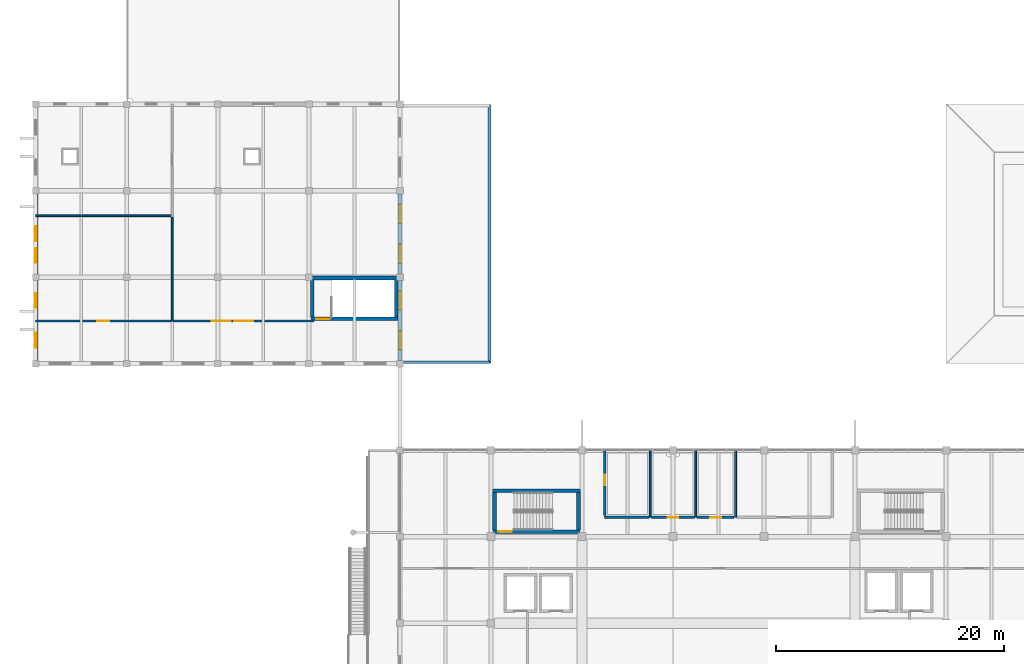
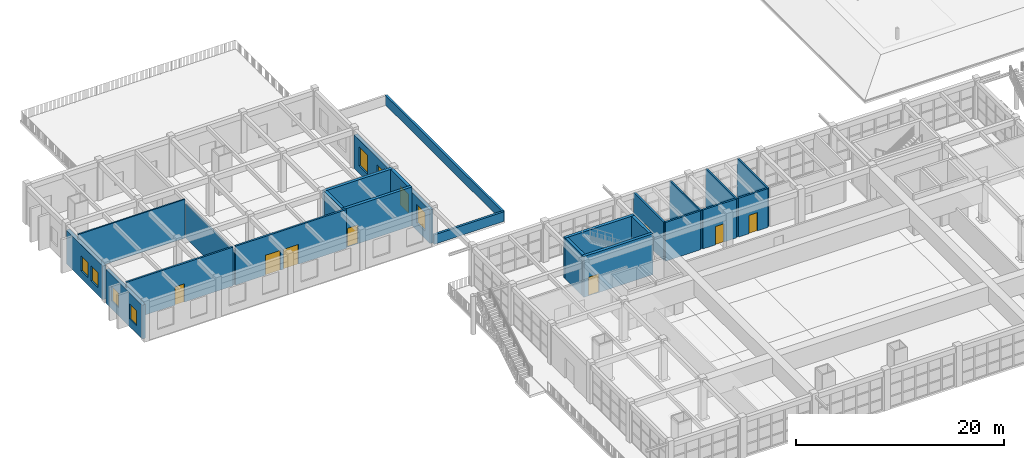
# One storey, part 37 of 50: 25 walls, 8 doors, 8 windows, 16 openings.
"""IFC4 building model written with IfcOpenShell, lengths in metres."""

import ifcopenshell
import ifcopenshell.guid

model = None  # the IFC model being written
_history = None  # IfcOwnerHistory: only IFC2X3 demands one
_inside = {}  # id of a spatial element -> (the spatial element, [elements in it])
_under = {}  # id of a project, library or spatial element -> (it, [spatial elements below it])
_declared = {}  # id of a project -> (the project, [libraries it declares])
_typed = {}  # id of a type object -> (the type object, [elements of that type])
_made_of = {}  # id of a material, layer set ... -> (it, [elements and type objects made of it])


def new_model(schema):
    """Start an empty IFC model of exactly this schema.

    Asked for "IFC4X3", IfcOpenShell would pick the latest addendum, in which some entities
    have other attributes; the version numbers below select the first issue.
    IFC2X3 requires an IfcOwnerHistory on every rooted entity: one is made here for all.
    """
    global model, _history
    if schema == "IFC4X3":
        model = ifcopenshell.file(schema_version=(4, 3, 0, 0))
    else:
        model = ifcopenshell.file(schema=schema)
    _inside.clear()
    _under.clear()
    _declared.clear()
    _typed.clear()
    _made_of.clear()
    _history = None
    if model.schema == "IFC2X3":
        org = make("IfcOrganization", Name="unknown")
        user = make(
            "IfcPersonAndOrganization",
            ThePerson=make("IfcPerson", FamilyName="unknown"),
            TheOrganization=org,
        )
        app = make(
            "IfcApplication",
            ApplicationDeveloper=org,
            Version="unknown",
            ApplicationFullName="unknown",
            ApplicationIdentifier="unknown",
        )
        _history = make(
            "IfcOwnerHistory",
            OwningUser=user,
            OwningApplication=app,
            ChangeAction="ADDED",
            CreationDate=0,
        )
    return model


def make(cls, **values):
    """One entity of the class cls with the attributes given. An attribute that is None is left unset."""
    return model.create_entity(
        cls, **{name: value for name, value in values.items() if value is not None}
    )


def rooted(cls, **values):
    """An entity with a GlobalId (a new one), such as an element, a storey or a relation."""
    return make(cls, GlobalId=ifcopenshell.guid.new(), OwnerHistory=_history, **values)


def si_unit(unit_type, name, prefix=None):
    """IfcSIUnit, for example si_unit("LENGTHUNIT", "METRE", prefix="MILLI")."""
    return make("IfcSIUnit", UnitType=unit_type, Prefix=prefix, Name=name)


def assignment(units):
    """IfcUnitAssignment: the units of a project."""
    return None if units is None else make("IfcUnitAssignment", Units=units)


def point(xyz):
    """IfcCartesianPoint."""
    return None if xyz is None else make("IfcCartesianPoint", Coordinates=xyz)


def direction(xyz):
    """IfcDirection."""
    return None if xyz is None else make("IfcDirection", DirectionRatios=xyz)


def frame(location, z_axis=None, x_axis=None):
    """IfcAxis2Placement3D, a coordinate frame: its origin and axes. An axis left out is left unset."""
    return make(
        "IfcAxis2Placement3D",
        Location=point(location),
        Axis=direction(z_axis),
        RefDirection=direction(x_axis),
    )


def frame_2d(location, x_axis=None):
    """IfcAxis2Placement2D, a coordinate frame in the plane: its origin and x axis."""
    return make(
        "IfcAxis2Placement2D", Location=point(location), RefDirection=direction(x_axis)
    )


def origin():
    """The frame at (0, 0, 0) with its axes left unset."""
    return frame((0.0, 0.0, 0.0))


def place(relative_to, where):
    """IfcLocalPlacement: puts the frame where relative to a parent placement (None: the world)."""
    return make(
        "IfcLocalPlacement", PlacementRelTo=relative_to, RelativePlacement=where
    )


def context(
    kind, dimensions, precision=None, world=None, true_north=None, identifier=None
):
    """IfcGeometricRepresentationContext, for example the 3D "Model" context."""
    return make(
        "IfcGeometricRepresentationContext",
        ContextIdentifier=identifier,
        ContextType=kind,
        CoordinateSpaceDimension=dimensions,
        Precision=precision,
        WorldCoordinateSystem=world,
        TrueNorth=true_north,
    )


def subcontext(parent, identifier, kind, view, scale=None):
    """IfcGeometricRepresentationSubContext, for example "Body" below "Model"."""
    return make(
        "IfcGeometricRepresentationSubContext",
        ContextIdentifier=identifier,
        ContextType=kind,
        ParentContext=parent,
        TargetScale=scale,
        TargetView=view,
    )


def project(units=None, contexts=None):
    """IfcProject with its units and contexts."""
    return rooted(
        "IfcProject",
        Name="project",
        RepresentationContexts=contexts,
        UnitsInContext=assignment(units),
    )


def spatial(cls, under=None, at=None, **own):
    """A site, building, storey or space (cls), placed at a placement, below another one or the project."""
    s = rooted(cls, ObjectPlacement=at, **own)
    if under is not None:
        _under.setdefault(under.id(), (under, []))[1].append(s)
    return s


def profile(cls, at=None, kind="AREA", **sizes):
    """A parametric profile (cls). Its sizes go by their IFC names, for example OverallWidth=200.0."""
    return make(cls, ProfileType=kind, Position=at, **sizes)


def rectangle(**sizes):
    """IfcRectangleProfileDef."""
    return profile("IfcRectangleProfileDef", **sizes)


def extrude(swept, where, along, depth):
    """IfcExtrudedAreaSolid: the profile swept, set in the frame where, extruded along a direction by depth."""
    return make(
        "IfcExtrudedAreaSolid",
        SweptArea=swept,
        Position=where,
        ExtrudedDirection=direction(along),
        Depth=depth,
    )


def shape(context_of_items, identifier, shape_type, items):
    """IfcShapeRepresentation: the items that make up one representation, for example the "Body"."""
    return make(
        "IfcShapeRepresentation",
        ContextOfItems=context_of_items,
        RepresentationIdentifier=identifier,
        RepresentationType=shape_type,
        Items=items,
    )


def material(Name=None, Category=None):
    """IfcMaterial."""
    return make("IfcMaterial", Name=Name, Category=Category)


def layer(
    of_material, thickness, ventilated=None, Name=None, Category=None, Priority=None
):
    """IfcMaterialLayer: one layer of a wall or slab, of a material (None: an air gap)."""
    return make(
        "IfcMaterialLayer",
        Material=of_material,
        LayerThickness=thickness,
        IsVentilated=ventilated,
        Name=Name,
        Category=Category,
        Priority=Priority,
    )


def layer_set(layers, Name=None):
    """IfcMaterialLayerSet."""
    return make("IfcMaterialLayerSet", MaterialLayers=layers, LayerSetName=Name)


def made_of(thing, what):
    """Note that an element or type object is made of a material, layer set ...; save() writes the relation."""
    if what is not None:
        _made_of.setdefault(what.id(), (what, []))[1].append(thing)
    return thing


def type_object(cls, material=None, **own):
    """A type object (cls), such as IfcWallType, which elements share."""
    return made_of(rooted(cls, **own), material)


def element(
    cls,
    number,
    at=None,
    inside=None,
    cuts=None,
    type_object=None,
    material=None,
    context=None,
    identifier="Body",
    shape_type=None,
    held_by="IfcProductDefinitionShape",
    body=None,
    shapes=None,
    **own,
):
    """One element of the class cls, such as IfcWall. Its Tag is "e" and its number.

    at: its placement. inside: the storey or other place that contains it. cuts: it is an
    opening in that element (IfcRelVoidsElement). A single representation is given by context,
    identifier, shape_type and body (its items); several are given by shapes. held_by: the class
    of the entity that holds the representations. save() writes the other relations.
    """
    e = rooted(cls, Tag="e%d" % number, ObjectPlacement=at, **own)
    if body is not None:
        shapes = [shape(context, identifier, shape_type, body)]
    if shapes is not None:
        e.Representation = make(held_by, Representations=shapes)
    if inside is not None:
        _inside.setdefault(inside.id(), (inside, []))[1].append(e)
    if cuts is not None:
        rooted(
            "IfcRelVoidsElement", RelatingBuildingElement=cuts, RelatedOpeningElement=e
        )
    if type_object is not None:
        _typed.setdefault(type_object.id(), (type_object, []))[1].append(e)
    return made_of(e, material)


def fill(opening, filler):
    """IfcRelFillsElement: the door or window that sits in an opening."""
    return rooted(
        "IfcRelFillsElement",
        RelatingOpeningElement=opening,
        RelatedBuildingElement=filler,
    )


def aggregate(whole, parts):
    """IfcRelAggregates: a whole, such as a stair, and the parts it consists of."""
    return rooted("IfcRelAggregates", RelatingObject=whole, RelatedObjects=parts)


def save(model, path):
    """Write the relations noted so far, then the file.

    IfcRelAggregates (storeys below a building ...), IfcRelContainedInSpatialStructure (elements
    in a storey), IfcRelDefinesByType, IfcRelAssociatesMaterial and IfcRelDeclares: one each for
    every whole, place, type object, material and project.
    """
    for whole, parts in _under.values():
        aggregate(whole, parts)
    for where, things in _inside.values():
        rooted(
            "IfcRelContainedInSpatialStructure",
            RelatedElements=things,
            RelatingStructure=where,
        )
    for kind, things in _typed.values():
        rooted("IfcRelDefinesByType", RelatedObjects=things, RelatingType=kind)
    for what, things in _made_of.values():
        rooted("IfcRelAssociatesMaterial", RelatedObjects=things, RelatingMaterial=what)
    for by, libraries in _declared.values():
        rooted("IfcRelDeclares", RelatingContext=by, RelatedDefinitions=libraries)
    model.write(path)


model = new_model("IFC4")

# Units and contexts
model_context = context("Model", 3, precision=1e-05, world=origin(), true_north=direction((0.0, 1.0)))
body_context = subcontext(model_context, "Body", "Model", "MODEL_VIEW")
ifc_project = project(units=[si_unit("LENGTHUNIT", "METRE"), si_unit("AREAUNIT", "SQUARE_METRE"), si_unit("VOLUMEUNIT", "CUBIC_METRE"), si_unit("PLANEANGLEUNIT", "RADIAN"), si_unit("MASSUNIT", "GRAM", prefix="KILO")], contexts=[model_context])

# Site, building, storey
site_placement = place(None, origin())
site = spatial("IfcSite", under=ifc_project, at=site_placement, CompositionType="ELEMENT")
building_placement = place(site_placement, origin())
building = spatial("IfcBuilding", under=site, at=building_placement, Name="Zantavel Square City Hall", CompositionType="ELEMENT")
storey_placement = place(building_placement, frame((0.0, 0.0, 18.89990234375)))
storey = spatial("IfcBuildingStorey", under=building, at=storey_placement, Name="L05", CompositionType="ELEMENT", Elevation=18.89990234375)

# Walls
ifc_material_1 = material(Name="Cantera volcanic tuff stone", Category="masonry")
ifc_layer_1 = layer(ifc_material_1, 0.239990234375, Name="Cantera volcanic tuff stone")
ifc_layer_set_1 = layer_set([ifc_layer_1], Name="Cantera volcanic tuff stone")
wall_type_1 = type_object("IfcWallType", Name="Cantera Wing Roof Parapet 240mm", PredefinedType="PARAPET", material=ifc_layer_set_1)
wall_1_placement = place(storey_placement, frame((63.8798828125, 76.1201171875, 0.0), z_axis=(0.0, 0.0, 1.0), x_axis=(0.0, 1.0, 0.0)))
element("IfcWall", 1, at=wall_1_placement, inside=storey, type_object=wall_type_1, Name="L05 Roof Parapet Wall 14", PredefinedType="PARAPET", context=body_context, shape_type="SweptSolid", body=[
    extrude(rectangle(XDim=22.559814453125, YDim=0.239990234375, at=frame_2d((11.27978515625, 0.0))), origin(), (0.0, 0.0, 1.0), 1.1201171875),
])
wall_2_placement = place(storey_placement, frame((56.1201171875, 76.1201171875, 0.0), z_axis=(0.0, 0.0, 1.0), x_axis=(1.0, 0.0, 0.0)))
element("IfcWall", 2, at=wall_2_placement, inside=storey, type_object=wall_type_1, Name="L05 Roof Parapet Wall 16", PredefinedType="PARAPET", context=body_context, shape_type="SweptSolid", body=[
    extrude(rectangle(XDim=7.759765625, YDim=0.239990234375, at=frame_2d((3.8798828125, 0.0))), origin(), (0.0, 0.0, 1.0), 1.1201171875),
])

# Wall, opening, door
ifc_material_2 = material(Name="Concrete C40/50", Category="concrete")
ifc_layer_2 = layer(ifc_material_2, 0.320068359375, Name="Concrete C40/50")
ifc_layer_set_2 = layer_set([ifc_layer_2], Name="Concrete C40/50")
wall_type_2 = type_object("IfcWallType", Name="Core Shear Wall RC 320mm C40/50", PredefinedType="SHEAR", material=ifc_layer_set_2)
wall_3_placement = place(storey_placement, frame((55.85009765625, 79.93994140625, 0.0), z_axis=(0.0, 0.0, 1.0), x_axis=(-1.0, 0.0, 0.0)))
wall_3 = element("IfcWall", 3, at=wall_3_placement, inside=storey, type_object=wall_type_2, Name="L05 Exit Stair 1 North-West Core Shear Wall South", PredefinedType="SHEAR", context=body_context, shape_type="SweptSolid", body=[
    extrude(rectangle(XDim=7.7001953125, YDim=0.320068359375, at=frame_2d((3.85009765625, 0.0))), origin(), (0.0, 0.0, 1.0), 4.570068359375),
])
opening_1_placement = place(wall_3_placement, frame((6.0, 0.0, 0.0)))
opening_1 = element("IfcOpeningElement", 4, at=opening_1_placement, cuts=wall_3, Name="Opening SD-006", PredefinedType="OPENING", context=body_context, shape_type="SweptSolid", body=[
    extrude(rectangle(XDim=1.199951171875, YDim=2.199951171875, at=frame_2d((0.60009765625, 1.10009765625))), frame((0.0, 0.169921875, 0.0), z_axis=(0.0, -1.0, 0.0), x_axis=(1.0, 0.0, 0.0)), (0.0, 0.0, 1.0), 0.340087890625),
])
ifc_material_3 = material(Name="Steel ASTM A500 Grade B", Category="steel")
door_type_1 = type_object("IfcDoorType", Name="Enclosed Exit Stairwell Fire Door 1200x2200 FD90S", OperationType="NOTDEFINED", PredefinedType="DOOR", material=ifc_material_3)
door_1_placement = place(opening_1_placement, origin())
door_1 = element("IfcDoor", 5, at=door_1_placement, inside=storey, type_object=door_type_1, Name="L05 Exit Stair 1 North-West Core Fire Door", OperationType="SINGLE_SWING_RIGHT", OverallHeight=2.199951171875, OverallWidth=1.199951171875, PredefinedType="DOOR", context=body_context, shape_type="SweptSolid", body=[
    extrude(rectangle(XDim=1.199951171875, YDim=2.199951171875, at=frame_2d((0.60009765625, 1.10009765625))), frame((0.0, 0.02490234375, 0.0), z_axis=(0.0, -1.0, 0.0), x_axis=(1.0, 0.0, 0.0)), (0.0, 0.0, 1.0), 0.050048828125),
])
fill(opening_1, door_1)

# Walls
wall_4_placement = place(storey_placement, frame((48.31005859375, 80.10009765625, 0.0), z_axis=(0.0, 0.0, 1.0), x_axis=(0.0, 1.0, 0.0)))
element("IfcWall", 6, at=wall_4_placement, inside=storey, type_object=wall_type_2, Name="L05 Exit Stair 1 North-West Core Shear Wall West", PredefinedType="SHEAR", context=body_context, shape_type="SweptSolid", body=[
    extrude(rectangle(XDim=3.27001953125, YDim=0.320068359375, at=frame_2d((1.635009765625, 0.0))), origin(), (0.0, 0.0, 1.0), 4.570068359375),
])
wall_5_placement = place(storey_placement, frame((48.14990234375, 83.530029296875, 0.0), z_axis=(0.0, 0.0, 1.0), x_axis=(1.0, 0.0, 0.0)))
element("IfcWall", 7, at=wall_5_placement, inside=storey, type_object=wall_type_2, Name="L05 Exit Stair 1 North-West Core Shear Wall North", PredefinedType="SHEAR", context=body_context, shape_type="SweptSolid", body=[
    extrude(rectangle(XDim=7.7001953125, YDim=0.320068359375, at=frame_2d((3.85009765625, 0.0))), origin(), (0.0, 0.0, 1.0), 4.570068359375),
])
wall_6_placement = place(storey_placement, frame((55.68994140625, 83.3701171875, 0.0), z_axis=(0.0, 0.0, 1.0), x_axis=(0.0, -1.0, 0.0)))
element("IfcWall", 8, at=wall_6_placement, inside=storey, type_object=wall_type_2, Name="L05 Exit Stair 1 North-West Core Shear Wall East", PredefinedType="SHEAR", context=body_context, shape_type="SweptSolid", body=[
    extrude(rectangle(XDim=3.27001953125, YDim=0.320068359375, at=frame_2d((1.635009765625, 0.0))), origin(), (0.0, 0.0, 1.0), 4.570068359375),
])

# Wall, opening, door
wall_7_placement = place(storey_placement, frame((71.85009765625, 61.239990234375, 0.0), z_axis=(0.0, 0.0, 1.0), x_axis=(-1.0, 0.0, 0.0)))
wall_7 = element("IfcWall", 9, at=wall_7_placement, inside=storey, type_object=wall_type_2, Name="L05 Exit Stair 5 Central West Core Shear Wall South", PredefinedType="SHEAR", context=body_context, shape_type="SweptSolid", body=[
    extrude(rectangle(XDim=7.7001953125, YDim=0.320068359375, at=frame_2d((3.85009765625, 0.0))), origin(), (0.0, 0.0, 1.0), 4.800048828125),
])
opening_2_placement = place(wall_7_placement, frame((6.0, 0.0, 0.0)))
opening_2 = element("IfcOpeningElement", 10, at=opening_2_placement, cuts=wall_7, Name="Opening SD-024", PredefinedType="OPENING", context=body_context, shape_type="SweptSolid", body=[
    extrude(rectangle(XDim=1.199951171875, YDim=2.199951171875, at=frame_2d((0.60009765625, 1.10009765625))), frame((0.0, 0.169921875, 0.0), z_axis=(0.0, -1.0, 0.0), x_axis=(1.0, 0.0, 0.0)), (0.0, 0.0, 1.0), 0.340087890625),
])
door_2_placement = place(opening_2_placement, origin())
door_2 = element("IfcDoor", 11, at=door_2_placement, inside=storey, type_object=door_type_1, Name="L05 Exit Stair 5 Central West Core Fire Door", OperationType="SINGLE_SWING_RIGHT", OverallHeight=2.199951171875, OverallWidth=1.199951171875, PredefinedType="DOOR", context=body_context, shape_type="SweptSolid", body=[
    extrude(rectangle(XDim=1.199951171875, YDim=2.199951171875, at=frame_2d((0.60009765625, 1.10009765625))), frame((0.0, 0.02490234375, 0.0), z_axis=(0.0, -1.0, 0.0), x_axis=(1.0, 0.0, 0.0)), (0.0, 0.0, 1.0), 0.050048828125),
])
fill(opening_2, door_2)

# Walls
wall_8_placement = place(storey_placement, frame((64.31005859375, 61.39990234375, 0.0), z_axis=(0.0, 0.0, 1.0), x_axis=(0.0, 1.0, 0.0)))
element("IfcWall", 12, at=wall_8_placement, inside=storey, type_object=wall_type_2, Name="L05 Exit Stair 5 Central West Core Shear Wall West", PredefinedType="SHEAR", context=body_context, shape_type="SweptSolid", body=[
    extrude(rectangle(XDim=3.27001953125, YDim=0.320068359375, at=frame_2d((1.635009765625, 0.0))), origin(), (0.0, 0.0, 1.0), 4.800048828125),
])
wall_9_placement = place(storey_placement, frame((64.14990234375, 64.830078125, 0.0), z_axis=(0.0, 0.0, 1.0), x_axis=(1.0, 0.0, 0.0)))
element("IfcWall", 13, at=wall_9_placement, inside=storey, type_object=wall_type_2, Name="L05 Exit Stair 5 Central West Core Shear Wall North", PredefinedType="SHEAR", context=body_context, shape_type="SweptSolid", body=[
    extrude(rectangle(XDim=7.7001953125, YDim=0.320068359375, at=frame_2d((3.85009765625, 0.0))), origin(), (0.0, 0.0, 1.0), 4.800048828125),
])
wall_10_placement = place(storey_placement, frame((71.68994140625, 64.669921875, 0.0), z_axis=(0.0, 0.0, 1.0), x_axis=(0.0, -1.0, 0.0)))
element("IfcWall", 14, at=wall_10_placement, inside=storey, type_object=wall_type_2, Name="L05 Exit Stair 5 Central West Core Shear Wall East", PredefinedType="SHEAR", context=body_context, shape_type="SweptSolid", body=[
    extrude(rectangle(XDim=3.27001953125, YDim=0.320068359375, at=frame_2d((1.635009765625, 0.0))), origin(), (0.0, 0.0, 1.0), 4.800048828125),
])

# Wall, openings, windows
ifc_layer_3 = layer(ifc_material_1, 0.360107421875, Name="Cantera volcanic tuff stone")
ifc_layer_set_3 = layer_set([ifc_layer_3], Name="Cantera volcanic tuff stone")
wall_type_3 = type_object("IfcWallType", Name="Courtyard Cantera Facade Wall 360mm", PredefinedType="STANDARD", material=ifc_layer_set_3)
wall_11_placement = place(storey_placement, frame((56.0, 90.89990234375, 0.0), z_axis=(0.0, 0.0, 1.0), x_axis=(0.0, -1.0, 0.0)))
wall_11 = element("IfcWall", 15, at=wall_11_placement, inside=storey, type_object=wall_type_3, Name="L05 Exterior Wall EW-L05-028", PredefinedType="STANDARD", context=body_context, shape_type="SweptSolid", body=[
    extrude(rectangle(XDim=7.0, YDim=0.360107421875, at=frame_2d((3.5, 0.0))), origin(), (0.0, 0.0, 1.0), 3.97021484375),
])
opening_3_placement = place(wall_11_placement, frame((0.925048828125, 0.0, 0.89990234375)))
opening_3 = element("IfcOpeningElement", 16, at=opening_3_placement, cuts=wall_11, Name="Opening W-510", PredefinedType="OPENING", context=body_context, shape_type="SweptSolid", body=[
    extrude(rectangle(XDim=1.64990234375, YDim=2.199951171875, at=frame_2d((0.824951171875, 1.10009765625))), frame((0.0, 0.18994140625, 0.0), z_axis=(0.0, -1.0, 0.0), x_axis=(1.0, 0.0, 0.0)), (0.0, 0.0, 1.0), 0.380126953125),
])
opening_4_placement = place(wall_11_placement, frame((4.425048828125, 0.0, 0.89990234375)))
opening_4 = element("IfcOpeningElement", 17, at=opening_4_placement, cuts=wall_11, Name="Opening W-511", PredefinedType="OPENING", context=body_context, shape_type="SweptSolid", body=[
    extrude(rectangle(XDim=1.64990234375, YDim=2.199951171875, at=frame_2d((0.824951171875, 1.10009765625))), frame((0.0, 0.18994140625, 0.0), z_axis=(0.0, -1.0, 0.0), x_axis=(1.0, 0.0, 0.0)), (0.0, 0.0, 1.0), 0.380126953125),
])
ifc_material_4 = material(Name="Tempered safety glass low-E double glazing", Category="glass")
window_type_1 = type_object("IfcWindowType", Name="Window Council Lounge 1650x2200", PartitioningType="DOUBLE_PANEL_VERTICAL", PredefinedType="WINDOW", material=ifc_material_4)
window_1_placement = place(opening_3_placement, origin())
window_1 = element("IfcWindow", 18, at=window_1_placement, inside=storey, type_object=window_type_1, Name="L05 Window W-510", OverallHeight=2.199951171875, OverallWidth=1.64990234375, PartitioningType="DOUBLE_PANEL_VERTICAL", PredefinedType="WINDOW", context=body_context, shape_type="SweptSolid", body=[
    extrude(rectangle(XDim=1.64990234375, YDim=2.199951171875, at=frame_2d((0.824951171875, 1.10009765625))), frame((0.0, 0.030029296875, 0.0), z_axis=(0.0, -1.0, 0.0), x_axis=(1.0, 0.0, 0.0)), (0.0, 0.0, 1.0), 0.06005859375),
])
fill(opening_3, window_1)
window_2_placement = place(opening_4_placement, origin())
window_2 = element("IfcWindow", 19, at=window_2_placement, inside=storey, type_object=window_type_1, Name="L05 Window W-511", OverallHeight=2.199951171875, OverallWidth=1.64990234375, PartitioningType="DOUBLE_PANEL_VERTICAL", PredefinedType="WINDOW", context=body_context, shape_type="SweptSolid", body=[
    extrude(rectangle(XDim=1.64990234375, YDim=2.199951171875, at=frame_2d((0.824951171875, 1.10009765625))), frame((0.0, 0.030029296875, 0.0), z_axis=(0.0, -1.0, 0.0), x_axis=(1.0, 0.0, 0.0)), (0.0, 0.0, 1.0), 0.06005859375),
])
fill(opening_4, window_2)

wall_12_placement = place(storey_placement, frame((56.0, 83.300048828125, 0.0), z_axis=(0.0, 0.0, 1.0), x_axis=(0.0, -1.0, 0.0)))
wall_12 = element("IfcWall", 20, at=wall_12_placement, inside=storey, type_object=wall_type_3, Name="L05 Exterior Wall EW-L05-029", PredefinedType="STANDARD", context=body_context, shape_type="SweptSolid", body=[
    extrude(rectangle(XDim=7.0, YDim=0.360107421875, at=frame_2d((3.5, 0.0))), origin(), (0.0, 0.0, 1.0), 3.97021484375),
])
opening_5_placement = place(wall_12_placement, frame((0.925048828125, 0.0, 0.89990234375)))
opening_5 = element("IfcOpeningElement", 21, at=opening_5_placement, cuts=wall_12, Name="Opening W-512", PredefinedType="OPENING", context=body_context, shape_type="SweptSolid", body=[
    extrude(rectangle(XDim=1.64990234375, YDim=2.199951171875, at=frame_2d((0.824951171875, 1.10009765625))), frame((0.0, 0.18994140625, 0.0), z_axis=(0.0, -1.0, 0.0), x_axis=(1.0, 0.0, 0.0)), (0.0, 0.0, 1.0), 0.380126953125),
])
opening_6_placement = place(wall_12_placement, frame((4.425048828125, 0.0, 0.89990234375)))
opening_6 = element("IfcOpeningElement", 22, at=opening_6_placement, cuts=wall_12, Name="Opening W-513", PredefinedType="OPENING", context=body_context, shape_type="SweptSolid", body=[
    extrude(rectangle(XDim=1.64990234375, YDim=2.199951171875, at=frame_2d((0.824951171875, 1.10009765625))), frame((0.0, 0.18994140625, 0.0), z_axis=(0.0, -1.0, 0.0), x_axis=(1.0, 0.0, 0.0)), (0.0, 0.0, 1.0), 0.380126953125),
])
window_3_placement = place(opening_5_placement, origin())
window_3 = element("IfcWindow", 23, at=window_3_placement, inside=storey, type_object=window_type_1, Name="L05 Window W-512", OverallHeight=2.199951171875, OverallWidth=1.64990234375, PartitioningType="DOUBLE_PANEL_VERTICAL", PredefinedType="WINDOW", context=body_context, shape_type="SweptSolid", body=[
    extrude(rectangle(XDim=1.64990234375, YDim=2.199951171875, at=frame_2d((0.824951171875, 1.10009765625))), frame((0.0, 0.030029296875, 0.0), z_axis=(0.0, -1.0, 0.0), x_axis=(1.0, 0.0, 0.0)), (0.0, 0.0, 1.0), 0.06005859375),
])
fill(opening_5, window_3)
window_4_placement = place(opening_6_placement, origin())
window_4 = element("IfcWindow", 24, at=window_4_placement, inside=storey, type_object=window_type_1, Name="L05 Window W-513", OverallHeight=2.199951171875, OverallWidth=1.64990234375, PartitioningType="DOUBLE_PANEL_VERTICAL", PredefinedType="WINDOW", context=body_context, shape_type="SweptSolid", body=[
    extrude(rectangle(XDim=1.64990234375, YDim=2.199951171875, at=frame_2d((0.824951171875, 1.10009765625))), frame((0.0, 0.030029296875, 0.0), z_axis=(0.0, -1.0, 0.0), x_axis=(1.0, 0.0, 0.0)), (0.0, 0.0, 1.0), 0.06005859375),
])
fill(opening_6, window_4)

wall_13_placement = place(storey_placement, frame((24.0, 76.300048828125, 0.0), z_axis=(0.0, 0.0, 1.0), x_axis=(0.0, 1.0, 0.0)))
wall_13 = element("IfcWall", 25, at=wall_13_placement, inside=storey, type_object=wall_type_3, Name="L05 Exterior Wall EW-L05-034", PredefinedType="STANDARD", context=body_context, shape_type="SweptSolid", body=[
    extrude(rectangle(XDim=7.0, YDim=0.360107421875, at=frame_2d((3.5, 0.0))), origin(), (0.0, 0.0, 1.0), 3.97021484375),
])
opening_7_placement = place(wall_13_placement, frame((1.10009765625, 0.0, 0.89990234375)))
opening_7 = element("IfcOpeningElement", 26, at=opening_7_placement, cuts=wall_13, Name="Opening W-522", PredefinedType="OPENING", context=body_context, shape_type="SweptSolid", body=[
    extrude(rectangle(XDim=1.300048828125, YDim=1.75, at=frame_2d((0.64990234375, 0.875))), frame((0.0, 0.18994140625, 0.0), z_axis=(0.0, -1.0, 0.0), x_axis=(1.0, 0.0, 0.0)), (0.0, 0.0, 1.0), 0.380126953125),
])
opening_8_placement = place(wall_13_placement, frame((4.60009765625, 0.0, 0.89990234375)))
opening_8 = element("IfcOpeningElement", 27, at=opening_8_placement, cuts=wall_13, Name="Opening W-523", PredefinedType="OPENING", context=body_context, shape_type="SweptSolid", body=[
    extrude(rectangle(XDim=1.300048828125, YDim=1.75, at=frame_2d((0.64990234375, 0.875))), frame((0.0, 0.18994140625, 0.0), z_axis=(0.0, -1.0, 0.0), x_axis=(1.0, 0.0, 0.0)), (0.0, 0.0, 1.0), 0.380126953125),
])
window_type_2 = type_object("IfcWindowType", Name="Window Social Welfare 1300x1750", PartitioningType="SINGLE_PANEL", PredefinedType="WINDOW", material=ifc_material_4)
window_5_placement = place(opening_7_placement, origin())
window_5 = element("IfcWindow", 28, at=window_5_placement, inside=storey, type_object=window_type_2, Name="L05 Window W-522", OverallHeight=1.75, OverallWidth=1.300048828125, PartitioningType="SINGLE_PANEL", PredefinedType="WINDOW", context=body_context, shape_type="SweptSolid", body=[
    extrude(rectangle(XDim=1.300048828125, YDim=1.75, at=frame_2d((0.64990234375, 0.875))), frame((0.0, 0.030029296875, 0.0), z_axis=(0.0, -1.0, 0.0), x_axis=(1.0, 0.0, 0.0)), (0.0, 0.0, 1.0), 0.06005859375),
])
fill(opening_7, window_5)
window_6_placement = place(opening_8_placement, origin())
window_6 = element("IfcWindow", 29, at=window_6_placement, inside=storey, type_object=window_type_2, Name="L05 Window W-523", OverallHeight=1.75, OverallWidth=1.300048828125, PartitioningType="SINGLE_PANEL", PredefinedType="WINDOW", context=body_context, shape_type="SweptSolid", body=[
    extrude(rectangle(XDim=1.300048828125, YDim=1.75, at=frame_2d((0.64990234375, 0.875))), frame((0.0, 0.030029296875, 0.0), z_axis=(0.0, -1.0, 0.0), x_axis=(1.0, 0.0, 0.0)), (0.0, 0.0, 1.0), 0.06005859375),
])
fill(opening_8, window_6)

wall_14_placement = place(storey_placement, frame((24.0, 83.89990234375, 0.0), z_axis=(0.0, 0.0, 1.0), x_axis=(0.0, 1.0, 0.0)))
wall_14 = element("IfcWall", 30, at=wall_14_placement, inside=storey, type_object=wall_type_3, Name="L05 Exterior Wall EW-L05-035", PredefinedType="STANDARD", context=body_context, shape_type="SweptSolid", body=[
    extrude(rectangle(XDim=7.0, YDim=0.360107421875, at=frame_2d((3.5, 0.0))), origin(), (0.0, 0.0, 1.0), 3.97021484375),
])
opening_9_placement = place(wall_14_placement, frame((0.953369140625, 0.0, 0.89990234375)))
opening_9 = element("IfcOpeningElement", 31, at=opening_9_placement, cuts=wall_14, Name="Opening W-524", PredefinedType="OPENING", context=body_context, shape_type="SweptSolid", body=[
    extrude(rectangle(XDim=1.300048828125, YDim=1.75, at=frame_2d((0.64990234375, 0.875))), frame((0.0, 0.18994140625, 0.0), z_axis=(0.0, -1.0, 0.0), x_axis=(1.0, 0.0, 0.0)), (0.0, 0.0, 1.0), 0.380126953125),
])
opening_10_placement = place(wall_14_placement, frame((2.856689453125, 0.0, 0.89990234375)))
opening_10 = element("IfcOpeningElement", 32, at=opening_10_placement, cuts=wall_14, Name="Opening W-525", PredefinedType="OPENING", context=body_context, shape_type="SweptSolid", body=[
    extrude(rectangle(XDim=1.300048828125, YDim=1.75, at=frame_2d((0.64990234375, 0.875))), frame((0.0, 0.18994140625, 0.0), z_axis=(0.0, -1.0, 0.0), x_axis=(1.0, 0.0, 0.0)), (0.0, 0.0, 1.0), 0.380126953125),
])
window_7_placement = place(opening_9_placement, origin())
window_7 = element("IfcWindow", 33, at=window_7_placement, inside=storey, type_object=window_type_2, Name="L05 Window W-524", OverallHeight=1.75, OverallWidth=1.300048828125, PartitioningType="SINGLE_PANEL", PredefinedType="WINDOW", context=body_context, shape_type="SweptSolid", body=[
    extrude(rectangle(XDim=1.300048828125, YDim=1.75, at=frame_2d((0.64990234375, 0.875))), frame((0.0, 0.030029296875, 0.0), z_axis=(0.0, -1.0, 0.0), x_axis=(1.0, 0.0, 0.0)), (0.0, 0.0, 1.0), 0.06005859375),
])
fill(opening_9, window_7)
window_8_placement = place(opening_10_placement, origin())
window_8 = element("IfcWindow", 34, at=window_8_placement, inside=storey, type_object=window_type_2, Name="L05 Window W-525", OverallHeight=1.75, OverallWidth=1.300048828125, PartitioningType="SINGLE_PANEL", PredefinedType="WINDOW", context=body_context, shape_type="SweptSolid", body=[
    extrude(rectangle(XDim=1.300048828125, YDim=1.75, at=frame_2d((0.64990234375, 0.875))), frame((0.0, 0.030029296875, 0.0), z_axis=(0.0, -1.0, 0.0), x_axis=(1.0, 0.0, 0.0)), (0.0, 0.0, 1.0), 0.06005859375),
])
fill(opening_10, window_8)

# Walls
ifc_material_5 = material(Name="Gypsum acoustic stud assembly", Category="masonry")
ifc_layer_4 = layer(ifc_material_5, 0.14990234375, Name="Gypsum acoustic stud assembly")
ifc_layer_set_4 = layer_set([ifc_layer_4], Name="Gypsum acoustic stud assembly")
wall_type_4 = type_object("IfcWallType", Name="Department Office Partition 150mm", PredefinedType="PARTITIONING", material=ifc_layer_set_4)
wall_15_placement = place(storey_placement, frame((36.0, 79.75, 0.0), z_axis=(0.0, 0.0, 1.0), x_axis=(0.0, 1.0, 0.0)))
element("IfcWall", 35, at=wall_15_placement, inside=storey, type_object=wall_type_4, Name="L05 Interior Wall IW-L05-0343", PredefinedType="PARTITIONING", context=body_context, shape_type="SweptSolid", body=[
    extrude(rectangle(XDim=9.125, YDim=0.14990234375, at=frame_2d((4.5625, 0.0))), origin(), (0.0, 0.0, 1.0), 4.070068359375),
])
wall_16_placement = place(storey_placement, frame((35.875, 89.0, 0.0), z_axis=(0.0, 0.0, 1.0), x_axis=(-1.0, 0.0, 0.0)))
element("IfcWall", 36, at=wall_16_placement, inside=storey, type_object=wall_type_4, Name="L05 Interior Wall IW-L05-0345", PredefinedType="PARTITIONING", context=body_context, shape_type="SweptSolid", body=[
    extrude(rectangle(XDim=11.875, YDim=0.14990234375, at=frame_2d((5.9375, 0.0))), origin(), (0.0, 0.0, 1.0), 4.570068359375),
])
ifc_layer_5 = layer(ifc_material_1, 0.199951171875, Name="Cantera volcanic tuff stone")
ifc_layer_set_5 = layer_set([ifc_layer_5], Name="Cantera volcanic tuff stone")
wall_type_5 = type_object("IfcWallType", Name="Exit Corridor Rated Wall 200mm", PredefinedType="STANDARD", material=ifc_layer_set_5)
wall_17_placement = place(storey_placement, frame((77.8701171875, 62.5, 0.0), z_axis=(0.0, 0.0, 1.0), x_axis=(-1.0, 0.0, 0.0)))
element("IfcWall", 37, at=wall_17_placement, inside=storey, type_object=wall_type_5, Name="L05 Interior Wall IW-L05-0332", PredefinedType="STANDARD", context=body_context, shape_type="SweptSolid", body=[
    extrude(rectangle(XDim=3.8701171875, YDim=0.199951171875, at=frame_2d((1.93505859375, 0.0))), origin(), (0.0, 0.0, 1.0), 4.570068359375),
])

# Wall, opening, door
wall_18_placement = place(storey_placement, frame((74.0, 62.64990234375, 0.0), z_axis=(0.0, 0.0, 1.0), x_axis=(0.0, 1.0, 0.0)))
wall_18 = element("IfcWall", 38, at=wall_18_placement, inside=storey, type_object=wall_type_5, Name="L05 Interior Wall IW-L05-0333", PredefinedType="STANDARD", context=body_context, shape_type="SweptSolid", body=[
    extrude(rectangle(XDim=5.75, YDim=0.199951171875, at=frame_2d((2.875, 0.0))), origin(), (0.0, 0.0, 1.0), 4.52001953125),
])
opening_11_placement = place(wall_18_placement, frame((2.64990234375, 0.0, 0.0)))
opening_11 = element("IfcOpeningElement", 39, at=opening_11_placement, cuts=wall_18, Name="Opening D-0159", PredefinedType="OPENING", context=body_context, shape_type="SweptSolid", body=[
    extrude(rectangle(XDim=0.949951171875, YDim=2.14990234375, at=frame_2d((0.47509765625, 1.074951171875))), frame((0.0, 0.10986328125, 0.0), z_axis=(0.0, -1.0, 0.0), x_axis=(1.0, 0.0, 0.0)), (0.0, 0.0, 1.0), 0.219970703125),
])
ifc_material_6 = material(Name="Solid oak hardwood", Category="wood")
door_type_2 = type_object("IfcDoorType", Name="Corridor Restroom Oak Fire Door 950x2150 FD60S", OperationType="NOTDEFINED", PredefinedType="DOOR", material=ifc_material_6)
door_3_placement = place(opening_11_placement, origin())
door_3 = element("IfcDoor", 40, at=door_3_placement, inside=storey, type_object=door_type_2, Name="L05 L05 Mens Restroom Door", OperationType="SINGLE_SWING_LEFT", OverallHeight=2.14990234375, OverallWidth=0.949951171875, PredefinedType="DOOR", context=body_context, shape_type="SweptSolid", body=[
    extrude(rectangle(XDim=0.949951171875, YDim=2.14990234375, at=frame_2d((0.47509765625, 1.074951171875))), frame((0.0, 0.02490234375, 0.0), z_axis=(0.0, -1.0, 0.0), x_axis=(1.0, 0.0, 0.0)), (0.0, 0.0, 1.0), 0.050048828125),
])
fill(opening_11, door_3)

wall_19_placement = place(storey_placement, frame((81.8701171875, 62.5, 0.0), z_axis=(0.0, 0.0, 1.0), x_axis=(-1.0, 0.0, 0.0)))
wall_19 = element("IfcWall", 41, at=wall_19_placement, inside=storey, type_object=wall_type_5, Name="L05 Interior Wall IW-L05-0335", PredefinedType="STANDARD", context=body_context, shape_type="SweptSolid", body=[
    extrude(rectangle(XDim=3.740234375, YDim=0.199951171875, at=frame_2d((1.8701171875, 0.0))), origin(), (0.0, 0.0, 1.0), 4.570068359375),
])
opening_12_placement = place(wall_19_placement, frame((1.39501953125, 0.0, 0.0)))
opening_12 = element("IfcOpeningElement", 42, at=opening_12_placement, cuts=wall_19, Name="Opening D-0160", PredefinedType="OPENING", context=body_context, shape_type="SweptSolid", body=[
    extrude(rectangle(XDim=0.949951171875, YDim=2.14990234375, at=frame_2d((0.47509765625, 1.074951171875))), frame((0.0, 0.10986328125, 0.0), z_axis=(0.0, -1.0, 0.0), x_axis=(1.0, 0.0, 0.0)), (0.0, 0.0, 1.0), 0.219970703125),
])
door_4_placement = place(opening_12_placement, origin())
door_4 = element("IfcDoor", 43, at=door_4_placement, inside=storey, type_object=door_type_2, Name="L05 L05 Womens Restroom Door", OperationType="SINGLE_SWING_RIGHT", OverallHeight=2.14990234375, OverallWidth=0.949951171875, PredefinedType="DOOR", context=body_context, shape_type="SweptSolid", body=[
    extrude(rectangle(XDim=0.949951171875, YDim=2.14990234375, at=frame_2d((0.47509765625, 1.074951171875))), frame((0.0, 0.02490234375, 0.0), z_axis=(0.0, -1.0, 0.0), x_axis=(1.0, 0.0, 0.0)), (0.0, 0.0, 1.0), 0.050048828125),
])
fill(opening_12, door_4)

wall_20_placement = place(storey_placement, frame((85.3701171875, 62.5, 0.0), z_axis=(0.0, 0.0, 1.0), x_axis=(-1.0, 0.0, 0.0)))
wall_20 = element("IfcWall", 44, at=wall_20_placement, inside=storey, type_object=wall_type_5, Name="L05 Interior Wall IW-L05-0337", PredefinedType="STANDARD", context=body_context, shape_type="SweptSolid", body=[
    extrude(rectangle(XDim=3.240234375, YDim=0.199951171875, at=frame_2d((1.6201171875, 0.0))), origin(), (0.0, 0.0, 1.0), 4.570068359375),
])
opening_13_placement = place(wall_20_placement, frame((1.14501953125, 0.0, 0.0)))
opening_13 = element("IfcOpeningElement", 45, at=opening_13_placement, cuts=wall_20, Name="Opening D-0161", PredefinedType="OPENING", context=body_context, shape_type="SweptSolid", body=[
    extrude(rectangle(XDim=0.949951171875, YDim=2.14990234375, at=frame_2d((0.47509765625, 1.074951171875))), frame((0.0, 0.10986328125, 0.0), z_axis=(0.0, -1.0, 0.0), x_axis=(1.0, 0.0, 0.0)), (0.0, 0.0, 1.0), 0.219970703125),
])
door_5_placement = place(opening_13_placement, origin())
door_5 = element("IfcDoor", 46, at=door_5_placement, inside=storey, type_object=door_type_2, Name="L05 L05 Accessible WC Door", OperationType="SINGLE_SWING_LEFT", OverallHeight=2.14990234375, OverallWidth=0.949951171875, PredefinedType="DOOR", context=body_context, shape_type="SweptSolid", body=[
    extrude(rectangle(XDim=0.949951171875, YDim=2.14990234375, at=frame_2d((0.47509765625, 1.074951171875))), frame((0.0, 0.02490234375, 0.0), z_axis=(0.0, -1.0, 0.0), x_axis=(1.0, 0.0, 0.0)), (0.0, 0.0, 1.0), 0.050048828125),
])
fill(opening_13, door_5)

# Wall, openings, doors
wall_21_placement = place(storey_placement, frame((48.469970703125, 79.75, 0.0), z_axis=(0.0, 0.0, 1.0), x_axis=(-1.0, 0.0, 0.0)))
wall_21 = element("IfcWall", 47, at=wall_21_placement, inside=storey, type_object=wall_type_5, Name="L05 Interior Wall IW-L05-0344", PredefinedType="STANDARD", context=body_context, shape_type="SweptSolid", body=[
    extrude(rectangle(XDim=12.344970703125, YDim=0.199951171875, at=frame_2d((6.17236328125, 0.0))), origin(), (0.0, 0.0, 1.0), 4.570068359375),
])
opening_14_placement = place(wall_21_placement, frame((5.33251953125, 0.0, 0.0)))
opening_14 = element("IfcOpeningElement", 48, at=opening_14_placement, cuts=wall_21, Name="Opening D-0164", PredefinedType="OPENING", context=body_context, shape_type="SweptSolid", body=[
    extrude(rectangle(XDim=1.679931640625, YDim=2.340087890625, at=frame_2d((0.83984375, 1.169921875))), frame((0.0, 0.10986328125, 0.0), z_axis=(0.0, -1.0, 0.0), x_axis=(1.0, 0.0, 0.0)), (0.0, 0.0, 1.0), 0.219970703125),
])
opening_15_placement = place(wall_21_placement, frame((7.33251953125, 0.0, 0.0)))
opening_15 = element("IfcOpeningElement", 49, at=opening_15_placement, cuts=wall_21, Name="Opening D-0170", PredefinedType="OPENING", context=body_context, shape_type="SweptSolid", body=[
    extrude(rectangle(XDim=1.679931640625, YDim=2.340087890625, at=frame_2d((0.83984375, 1.169921875))), frame((0.0, 0.10986328125, 0.0), z_axis=(0.0, -1.0, 0.0), x_axis=(1.0, 0.0, 0.0)), (0.0, 0.0, 1.0), 0.219970703125),
])
door_type_3 = type_object("IfcDoorType", Name="Dining Servery Double Fire Door 1680x2340 FD60S", OperationType="NOTDEFINED", PredefinedType="DOOR", material=ifc_material_6)
door_6_placement = place(opening_14_placement, origin())
door_6 = element("IfcDoor", 50, at=door_6_placement, inside=storey, type_object=door_type_3, Name="L05 Staff Dining Hall Door", OperationType="DOUBLE_DOOR_SINGLE_SWING", OverallHeight=2.340087890625, OverallWidth=1.679931640625, PredefinedType="DOOR", context=body_context, shape_type="SweptSolid", body=[
    extrude(rectangle(XDim=1.679931640625, YDim=2.340087890625, at=frame_2d((0.83984375, 1.169921875))), frame((0.0, 0.02490234375, 0.0), z_axis=(0.0, -1.0, 0.0), x_axis=(1.0, 0.0, 0.0)), (0.0, 0.0, 1.0), 0.050048828125),
])
fill(opening_14, door_6)
door_7_placement = place(opening_15_placement, origin())
door_7 = element("IfcDoor", 51, at=door_7_placement, inside=storey, type_object=door_type_3, Name="L05 Staff Dining Hall Door", OperationType="DOUBLE_DOOR_SINGLE_SWING", OverallHeight=2.340087890625, OverallWidth=1.679931640625, PredefinedType="DOOR", context=body_context, shape_type="SweptSolid", body=[
    extrude(rectangle(XDim=1.679931640625, YDim=2.340087890625, at=frame_2d((0.83984375, 1.169921875))), frame((0.0, 0.02490234375, 0.0), z_axis=(0.0, -1.0, 0.0), x_axis=(1.0, 0.0, 0.0)), (0.0, 0.0, 1.0), 0.050048828125),
])
fill(opening_15, door_7)

# Wall, opening, door
wall_22_placement = place(storey_placement, frame((35.875, 79.75, 0.0), z_axis=(0.0, 0.0, 1.0), x_axis=(-1.0, 0.0, 0.0)))
wall_22 = element("IfcWall", 52, at=wall_22_placement, inside=storey, type_object=wall_type_5, Name="L05 Interior Wall IW-L05-0348", PredefinedType="STANDARD", context=body_context, shape_type="SweptSolid", body=[
    extrude(rectangle(XDim=11.875, YDim=0.199951171875, at=frame_2d((5.9375, 0.0))), origin(), (0.0, 0.0, 1.0), 4.570068359375),
])
opening_16_placement = place(wall_22_placement, frame((5.41259765625, 0.0, 0.0)))
opening_16 = element("IfcOpeningElement", 53, at=opening_16_placement, cuts=wall_22, Name="Opening D-0166", PredefinedType="OPENING", context=body_context, shape_type="SweptSolid", body=[
    extrude(rectangle(XDim=1.050048828125, YDim=2.14990234375, at=frame_2d((0.52490234375, 1.074951171875))), frame((0.0, 0.10986328125, 0.0), z_axis=(0.0, -1.0, 0.0), x_axis=(1.0, 0.0, 0.0)), (0.0, 0.0, 1.0), 0.219970703125),
])
door_type_4 = type_object("IfcDoorType", Name="Corridor Office Oak Fire Door 1050x2150 FD60S", OperationType="NOTDEFINED", PredefinedType="DOOR", material=ifc_material_6)
door_8_placement = place(opening_16_placement, origin())
door_8 = element("IfcDoor", 54, at=door_8_placement, inside=storey, type_object=door_type_4, Name="L05 Social Welfare and Economic Development Office Door", OperationType="SINGLE_SWING_RIGHT", OverallHeight=2.14990234375, OverallWidth=1.050048828125, PredefinedType="DOOR", context=body_context, shape_type="SweptSolid", body=[
    extrude(rectangle(XDim=1.050048828125, YDim=2.14990234375, at=frame_2d((0.52490234375, 1.074951171875))), frame((0.0, 0.02490234375, 0.0), z_axis=(0.0, -1.0, 0.0), x_axis=(1.0, 0.0, 0.0)), (0.0, 0.0, 1.0), 0.050048828125),
])
fill(opening_16, door_8)

# Walls
ifc_layer_6 = layer(ifc_material_1, 0.159912109375, Name="Cantera volcanic tuff stone")
ifc_layer_set_6 = layer_set([ifc_layer_6], Name="Cantera volcanic tuff stone")
wall_type_6 = type_object("IfcWallType", Name="Restroom Wet-Wall Partition 160mm", PredefinedType="PARTITIONING", material=ifc_layer_set_6)
for number, where, z_axis, x_axis, name in (
    (55, (78.0, 68.39990234375, 0.0), (0.0, 0.0, 1.0), (0.0, -1.0, 0.0), "L05 Interior Wall IW-L05-0331"),
    (56, (82.0, 68.39990234375, 0.0), (0.0, 0.0, 1.0), (0.0, -1.0, 0.0), "L05 Interior Wall IW-L05-0334"),
    (57, (85.5, 68.39990234375, 0.0), (0.0, 0.0, 1.0), (0.0, -1.0, 0.0), "L05 Interior Wall IW-L05-0336"),
):
    element("IfcWall", number, at=place(storey_placement, frame(where, z_axis=z_axis, x_axis=x_axis)), inside=storey, type_object=wall_type_6, Name=name, PredefinedType="PARTITIONING", context=body_context, shape_type="SweptSolid", body=[
        extrude(rectangle(XDim=5.89990234375, YDim=0.159912109375, at=frame_2d((2.949951171875, 0.0))), origin(), (0.0, 0.0, 1.0), 4.52001953125),
    ])

save(model, "model.ifc")
